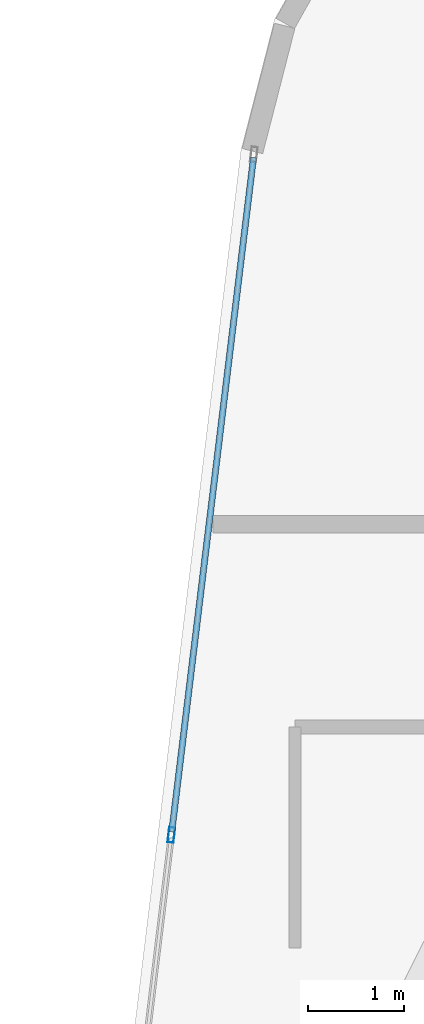
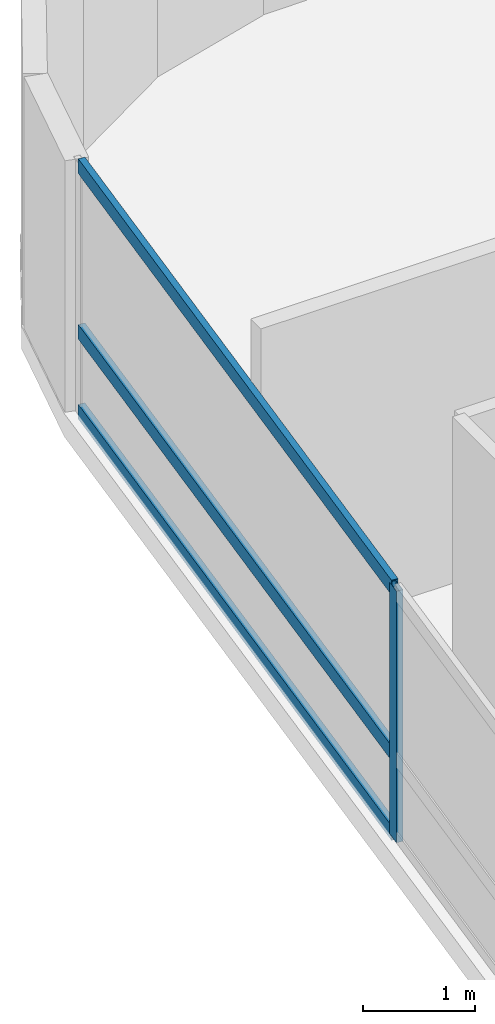
# One storey, part 10 of 26: 4 members, 1 element without a shape of its own.
"""IFC4 building model written with IfcOpenShell, lengths in metres."""

from ifc_helpers import new_model, si_unit, direction, frame, origin, origin_2d, place, context, subcontext, project, spatial, hollow_rectangle, extrude, material, layer, layer_set, material_profile, profile_set, type_object, element, aggregate, save


model = new_model("IFC4")

# Units and contexts
model_context = context("Model", 3, precision=1e-05, world=origin(), true_north=direction((0.0, 1.0)))
body_context = subcontext(model_context, "Body", "Model", "MODEL_VIEW")
ifc_project = project(units=[si_unit("LENGTHUNIT", "METRE"), si_unit("AREAUNIT", "SQUARE_METRE"), si_unit("VOLUMEUNIT", "CUBIC_METRE"), si_unit("PLANEANGLEUNIT", "RADIAN"), si_unit("MASSUNIT", "GRAM", prefix="KILO")], contexts=[model_context])

# Site, building, storey
site_placement = place(None, origin())
site = spatial("IfcSite", under=ifc_project, at=site_placement, CompositionType="ELEMENT")
building_placement = place(site_placement, origin())
building = spatial("IfcBuilding", under=site, at=building_placement, Name="Varnelok Gate Tower", CompositionType="ELEMENT")
storey_placement = place(building_placement, frame((0.0, 0.0, 151.300048828125)))
storey = spatial("IfcBuildingStorey", under=building, at=storey_placement, Name="L38", CompositionType="ELEMENT", Elevation=151.300048828125)

# Curtain wall, members
ifc_material = material(Name="Anodized Aluminum Alloy 6063-T6", Category="aluminium")
ifc_layer = layer(ifc_material, 0.179931640625)
ifc_layer_set = layer_set([ifc_layer], Name="Anodized Aluminum Alloy 6063-T6")
curtain_wall_type = type_object("IfcCurtainWallType", Name="CW3-HOTEL-VISION", PredefinedType="USERDEFINED", material=ifc_layer_set)
curtain_wall_placement = place(storey_placement, origin())
curtain_wall = element("IfcCurtainWall", 1, at=curtain_wall_placement, inside=storey, type_object=curtain_wall_type, Name="L38 West End Vision Curtain Wall", ObjectType="UNITISED CURTAIN WALL", PredefinedType="USERDEFINED")
ifc_material_profile_1 = material_profile(ifc_material, hollow_rectangle(XDim=0.06494140625, YDim=0.159912109375, WallThickness=0.00390625, at=origin_2d()), Name="ALU160X65X4")
ifc_profile_set_1 = profile_set([ifc_material_profile_1], Name="Anodized Aluminum Alloy 6063-T6")
member_type_1 = type_object("IfcMemberType", Name="CW-MULL-160", PredefinedType="MULLION", material=ifc_profile_set_1)
member_1_placement = place(storey_placement, frame((3.708984375, 40.4814453125, 0.0), z_axis=(0.0, 0.0, 1.0), x_axis=(-0.99273188146, 0.120347046212, 0.0)))
member_1 = element("IfcMember", 2, at=member_1_placement, type_object=member_type_1, Name="CW3 mullion 5", PredefinedType="MULLION", context=body_context, shape_type="SweptSolid", body=[
    extrude(hollow_rectangle(XDim=0.06494140625, YDim=0.159912109375, WallThickness=0.00390625, at=origin_2d()), origin(), (0.0, 0.0, 1.0), 2.72998046875),
])
ifc_material_profile_2 = material_profile(ifc_material, hollow_rectangle(XDim=0.06494140625, YDim=0.159912109375, WallThickness=0.00390625, at=origin_2d()), Name="ALU160X65X4")
ifc_profile_set_2 = profile_set([ifc_material_profile_2], Name="Anodized Aluminum Alloy 6063-T6")
member_type_2 = type_object("IfcMemberType", Name="CW-TRAN-160", PredefinedType="USERDEFINED", material=ifc_profile_set_2)
member_2_placement = place(storey_placement, frame((3.712890625, 40.513671875, 0.032470703125), z_axis=(0.120374481497, 0.992728555147, 0.0), x_axis=(-0.992728555147, 0.120374481497, 0.0)))
member_2 = element("IfcMember", 3, at=member_2_placement, type_object=member_type_2, Name="CW3 transom 5.1", ObjectType="TRANSOM", PredefinedType="USERDEFINED", context=body_context, shape_type="SweptSolid", body=[
    extrude(hollow_rectangle(XDim=0.06494140625, YDim=0.159912109375, WallThickness=0.00390625, at=origin_2d()), origin(), (0.0, 0.0, 1.0), 7.102783203125),
])
member_3_placement = place(storey_placement, frame((3.712890625, 40.513671875, 0.89990234375), z_axis=(0.120374481497, 0.992728555147, 0.0), x_axis=(-0.992728555147, 0.120374481497, 0.0)))
member_3 = element("IfcMember", 4, at=member_3_placement, type_object=member_type_2, Name="CW3 transom 5.2", ObjectType="TRANSOM", PredefinedType="USERDEFINED", context=body_context, shape_type="SweptSolid", body=[
    extrude(hollow_rectangle(XDim=0.06494140625, YDim=0.159912109375, WallThickness=0.00390625, at=origin_2d()), origin(), (0.0, 0.0, 1.0), 7.102783203125),
])
member_4_placement = place(storey_placement, frame((3.712890625, 40.513671875, 2.697509765625), z_axis=(0.120374481497, 0.992728555147, 0.0), x_axis=(-0.992728555147, 0.120374481497, 0.0)))
member_4 = element("IfcMember", 5, at=member_4_placement, type_object=member_type_2, Name="CW3 transom 5.3", ObjectType="TRANSOM", PredefinedType="USERDEFINED", context=body_context, shape_type="SweptSolid", body=[
    extrude(hollow_rectangle(XDim=0.06494140625, YDim=0.159912109375, WallThickness=0.00390625, at=origin_2d()), origin(), (0.0, 0.0, 1.0), 7.102783203125),
])
aggregate(curtain_wall, [member_1, member_2, member_3, member_4])

save(model, "model.ifc")
